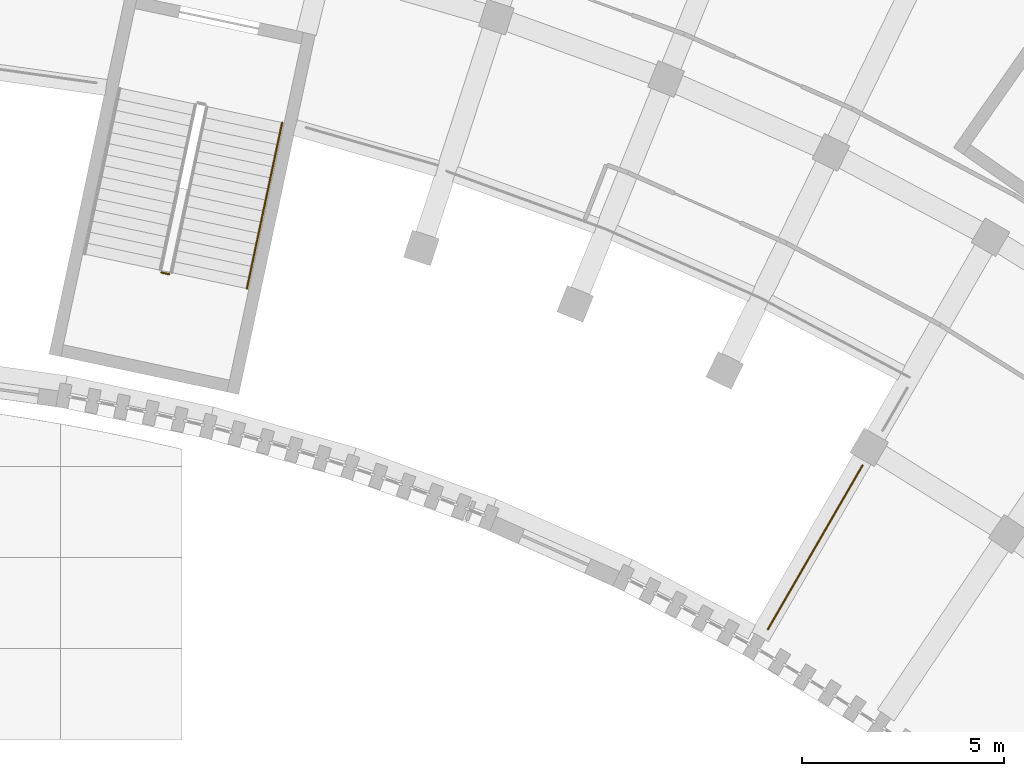
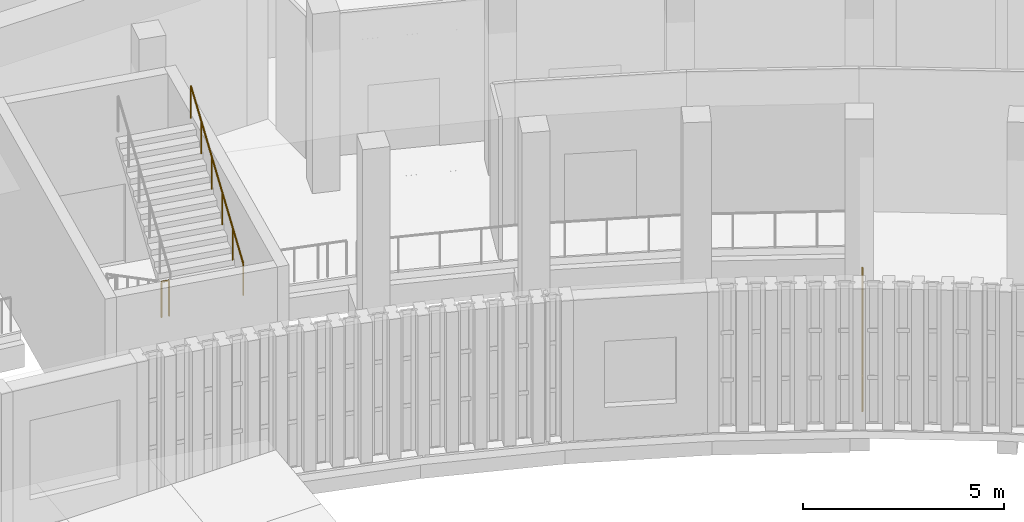
# One storey, part 86 of 112: 3 railings.
"""IFC4 building model written with IfcOpenShell, lengths in metres."""

from ifc_helpers import new_model, si_unit, direction, frame, origin, origin_2d, place, context, subcontext, project, spatial, circle, extrude, material, type_object, element, save


model = new_model("IFC4")

# Units and contexts
model_context = context("Model", 3, precision=1e-05, world=origin(), true_north=direction((0.0, 1.0)))
body_context = subcontext(model_context, "Body", "Model", "MODEL_VIEW")
ifc_project = project(units=[si_unit("LENGTHUNIT", "METRE"), si_unit("AREAUNIT", "SQUARE_METRE"), si_unit("VOLUMEUNIT", "CUBIC_METRE"), si_unit("PLANEANGLEUNIT", "RADIAN"), si_unit("MASSUNIT", "GRAM", prefix="KILO")], contexts=[model_context])

# Site, building, storey
site_placement = place(None, origin())
site = spatial("IfcSite", under=ifc_project, at=site_placement, CompositionType="ELEMENT")
building_placement = place(site_placement, origin())
building = spatial("IfcBuilding", under=site, at=building_placement, Name="Lunette Opera House", CompositionType="ELEMENT")
storey_placement = place(building_placement, frame((0.0, 0.0, 6.0)))
storey = spatial("IfcBuildingStorey", under=building, at=storey_placement, Name="L01", CompositionType="ELEMENT", Elevation=6.0)

# Railings
ifc_material_1 = material(Name="Steel S355", Category="steel")
railing_type_1 = type_object("IfcRailingType", Name="DECK GUARD 1100", PredefinedType="GUARDRAIL", material=ifc_material_1)
railing_1_placement = place(storey_placement, frame((124.8359375, 49.785888671875, 0.0)))
element("IfcRailing", 1, at=railing_1_placement, inside=storey, type_object=railing_type_1, Name="Deck guard 017", PredefinedType="GUARDRAIL", context=body_context, shape_type="SweptSolid", body=[
    extrude(circle(Radius=0.02392578125, at=origin_2d()), frame((0.0, 0.0, 1.076171875), z_axis=(-0.49869419223, -0.86677800078, 0.0), x_axis=(0.86677800078, -0.49869419223, 0.0)), (0.0, 0.0, 1.0), 0.246826171875),
    extrude(circle(Radius=0.02392578125, at=origin_2d()), frame((-0.123046875, -0.2138671875, 1.076171875), z_axis=(-0.500450775723, -0.86576499183, 0.0), x_axis=(0.86576499183, -0.500450775723, 0.0)), (0.0, 0.0, 1.0), 0.4931640625),
    extrude(circle(Radius=0.02392578125, at=origin_2d()), frame((-0.369873046875, -0.640869140625, 1.076171875), z_axis=(-0.49826679157, -0.867023762315, 0.0), x_axis=(0.867023762315, -0.49826679157, 0.0)), (0.0, 0.0, 1.0), 0.2470703125),
    extrude(circle(Radius=0.02392578125, at=origin_2d()), frame((-0.492919921875, -0.85498046875, 1.076171875), z_axis=(-0.503378059751, -0.864066275792, 0.0), x_axis=(0.864066275792, -0.503378059751, 0.0)), (0.0, 0.0, 1.0), 0.246337890625),
    extrude(circle(Radius=0.02392578125, at=origin_2d()), frame((-0.616943359375, -1.06787109375, 1.076171875), z_axis=(-0.498480415431, -0.866900960567, 0.0), x_axis=(0.866900960567, -0.498480415431, 0.0)), (0.0, 0.0, 1.0), 0.49365234375),
    extrude(circle(Radius=0.02392578125, at=origin_2d()), frame((-0.863037109375, -1.495849609375, 1.076171875), z_axis=(-0.502207205037, -0.864747317549, 0.0), x_axis=(0.864747317549, -0.502207205037, 0.0)), (0.0, 0.0, 1.0), 0.24658203125),
    extrude(circle(Radius=0.02392578125, at=origin_2d()), frame((-0.98681640625, -1.708984375, 1.076171875), z_axis=(-0.498480415431, -0.866900960567, 0.0), x_axis=(0.866900960567, -0.498480415431, 0.0)), (0.0, 0.0, 1.0), 0.49365234375),
    extrude(circle(Radius=0.02392578125, at=origin_2d()), frame((-1.23291015625, -2.136962890625, 1.076171875), z_axis=(-0.503378059751, -0.864066275792, 0.0), x_axis=(0.864066275792, -0.503378059751, 0.0)), (0.0, 0.0, 1.0), 0.246337890625),
    extrude(circle(Radius=0.02392578125, at=origin_2d()), frame((-1.35693359375, -2.349853515625, 1.076171875), z_axis=(-0.498480415431, -0.866900960567, 0.0), x_axis=(0.866900960567, -0.498480415431, 0.0)), (0.0, 0.0, 1.0), 0.49365234375),
    extrude(circle(Radius=0.02392578125, at=origin_2d()), frame((-1.60302734375, -2.77783203125, 1.076171875), z_axis=(-0.502947371317, -0.864317037716, 0.0), x_axis=(0.864317037716, -0.502947371317, 0.0)), (0.0, 0.0, 1.0), 0.24658203125),
    extrude(circle(Radius=0.02392578125, at=origin_2d()), frame((-1.72705078125, -2.990966796875, 1.076171875), z_axis=(-0.497950247079, -0.867205599287, 0.0), x_axis=(0.867205599287, -0.497950247079, 0.0)), (0.0, 0.0, 1.0), 0.24658203125),
    extrude(circle(Radius=0.02392578125, at=origin_2d()), frame((-1.849853515625, -3.204833984375, 1.076171875), z_axis=(-0.500821668911, -0.86555049301, 0.0), x_axis=(0.86555049301, -0.500821668911, 0.0)), (0.0, 0.0, 1.0), 0.493408203125),
    extrude(circle(Radius=0.02392578125, at=origin_2d()), frame((-2.096923828125, -3.6318359375, 1.076171875), z_axis=(-0.49826679157, -0.867023762315, 0.0), x_axis=(0.867023762315, -0.49826679157, 0.0)), (0.0, 0.0, 1.0), 0.2470703125),
    extrude(circle(Radius=0.02392578125, at=origin_2d()), frame((-2.219970703125, -3.845947265625, 1.076171875), z_axis=(-0.500409926597, -0.865788603161, 0.0), x_axis=(0.865788603161, -0.500409926597, 0.0)), (0.0, 0.0, 1.0), 0.245849609375),
    extrude(circle(Radius=0.02099609375, at=origin_2d()), origin(), (0.0, 0.0, 1.0), 1.052001953125),
    extrude(circle(Radius=0.02099609375, at=origin_2d()), frame((-0.123046875, -0.2138671875, 0.0)), (0.0, 0.0, 1.0), 1.052001953125),
    extrude(circle(Radius=0.02099609375, at=origin_2d()), frame((-0.369873046875, -0.640869140625, 0.0)), (0.0, 0.0, 1.0), 1.052001953125),
    extrude(circle(Radius=0.02099609375, at=origin_2d()), frame((-0.492919921875, -0.85498046875, 0.0)), (0.0, 0.0, 1.0), 1.052001953125),
    extrude(circle(Radius=0.02099609375, at=origin_2d()), frame((-0.616943359375, -1.06787109375, 0.0)), (0.0, 0.0, 1.0), 1.052001953125),
    extrude(circle(Radius=0.02099609375, at=origin_2d()), frame((-0.863037109375, -1.495849609375, 0.0)), (0.0, 0.0, 1.0), 1.052001953125),
    extrude(circle(Radius=0.02099609375, at=origin_2d()), frame((-0.98681640625, -1.708984375, 0.0)), (0.0, 0.0, 1.0), 1.052001953125),
    extrude(circle(Radius=0.02099609375, at=origin_2d()), frame((-1.23291015625, -2.136962890625, 0.0)), (0.0, 0.0, 1.0), 1.052001953125),
    extrude(circle(Radius=0.02099609375, at=origin_2d()), frame((-1.35693359375, -2.349853515625, 0.0)), (0.0, 0.0, 1.0), 1.052001953125),
    extrude(circle(Radius=0.02099609375, at=origin_2d()), frame((-1.60302734375, -2.77783203125, 0.0)), (0.0, 0.0, 1.0), 1.052001953125),
    extrude(circle(Radius=0.02099609375, at=origin_2d()), frame((-1.72705078125, -2.990966796875, 0.0)), (0.0, 0.0, 1.0), 1.052001953125),
    extrude(circle(Radius=0.02099609375, at=origin_2d()), frame((-1.849853515625, -3.204833984375, 0.0)), (0.0, 0.0, 1.0), 1.052001953125),
    extrude(circle(Radius=0.02099609375, at=origin_2d()), frame((-2.096923828125, -3.6318359375, 0.0)), (0.0, 0.0, 1.0), 1.052001953125),
    extrude(circle(Radius=0.02099609375, at=origin_2d()), frame((-2.219970703125, -3.845947265625, 0.0)), (0.0, 0.0, 1.0), 1.052001953125),
    extrude(circle(Radius=0.02099609375, at=origin_2d()), frame((-2.343017578125, -4.058837890625, 0.0)), (0.0, 0.0, 1.0), 1.052001953125),
])
ifc_material_2 = material(Name="Steel S355", Category="steel")
railing_type_2 = type_object("IfcRailingType", Name="STAIR GUARD 1100", PredefinedType="GUARDRAIL", material=ifc_material_2)
railing_2_placement = place(storey_placement, frame((107.4931640625, 54.552978515625, 2.75)))
element("IfcRailing", 2, at=railing_2_placement, inside=storey, type_object=railing_type_2, Name="L01 GS2 stair guard 2", PredefinedType="GUARDRAIL", context=body_context, shape_type="SweptSolid", body=[
    extrude(circle(Radius=0.02392578125, at=origin_2d()), frame((0.0, 0.0, 1.076171875), z_axis=(0.978158850918, -0.20785875582, 0.0), x_axis=(0.20785875582, 0.978158850918, 0.0)), (0.0, 0.0, 1.0), 0.19970703125),
    extrude(circle(Radius=0.02099609375, at=origin_2d()), origin(), (0.0, 0.0, 1.0), 1.052001953125),
    extrude(circle(Radius=0.02099609375, at=origin_2d()), frame((0.1953125, -0.04150390625, 0.0)), (0.0, 0.0, 1.0), 1.052001953125),
])
ifc_material_3 = material(Name="Steel S355", Category="steel")
railing_type_3 = type_object("IfcRailingType", Name="STAIR HANDRAIL 1000", PredefinedType="HANDRAIL", material=ifc_material_3)
railing_3_placement = place(storey_placement, frame((109.6064453125, 54.155029296875, 2.921875)))
element("IfcRailing", 3, at=railing_3_placement, inside=storey, type_object=railing_type_3, Name="L01 GS2 stair handrail 2", PredefinedType="HANDRAIL", context=body_context, shape_type="SweptSolid", body=[
    extrude(circle(Radius=0.02392578125, at=origin_2d()), frame((0.0, 0.0, 0.97607421875), z_axis=(0.177157979895, 0.833623413786, 0.52315108157), x_axis=(-0.978155748334, 0.207873355681, 0.0)), (0.0, 0.0, 1.0), 4.927978515625),
    extrude(circle(Radius=0.02099609375, at=origin_2d()), origin(), (0.0, 0.0, 1.0), 0.951904296875),
    extrude(circle(Radius=0.02099609375, at=origin_2d()), frame((0.174560546875, 0.821533203125, 0.515625)), (0.0, 0.0, 1.0), 0.951904296875),
    extrude(circle(Radius=0.02099609375, at=origin_2d()), frame((0.34912109375, 1.643310546875, 1.03125)), (0.0, 0.0, 1.0), 0.951904296875),
    extrude(circle(Radius=0.02099609375, at=origin_2d()), frame((0.52392578125, 2.46484375, 1.546875)), (0.0, 0.0, 1.0), 0.951904296875),
    extrude(circle(Radius=0.02099609375, at=origin_2d()), frame((0.698486328125, 3.28662109375, 2.0625)), (0.0, 0.0, 1.0), 0.951904296875),
    extrude(circle(Radius=0.02099609375, at=origin_2d()), frame((0.873046875, 4.108154296875, 2.578125)), (0.0, 0.0, 1.0), 0.951904296875),
])

save(model, "model.ifc")
